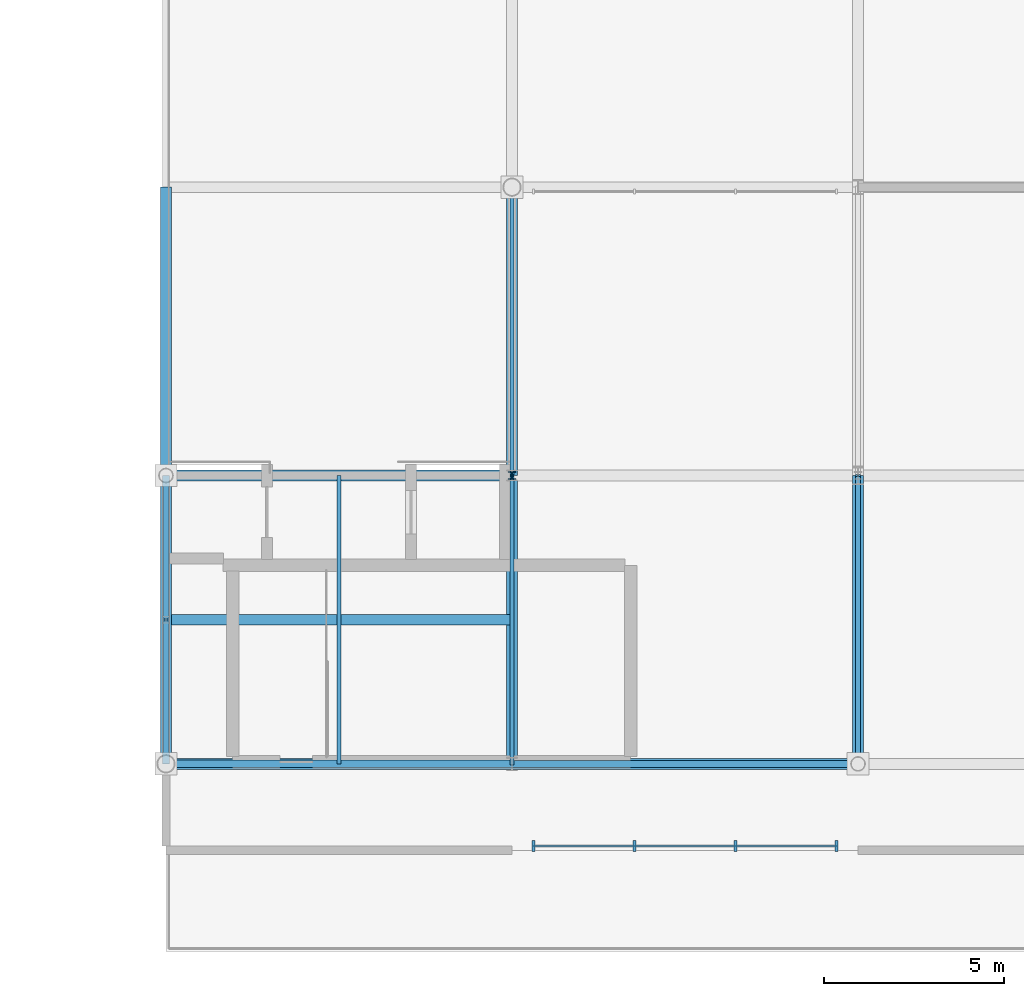
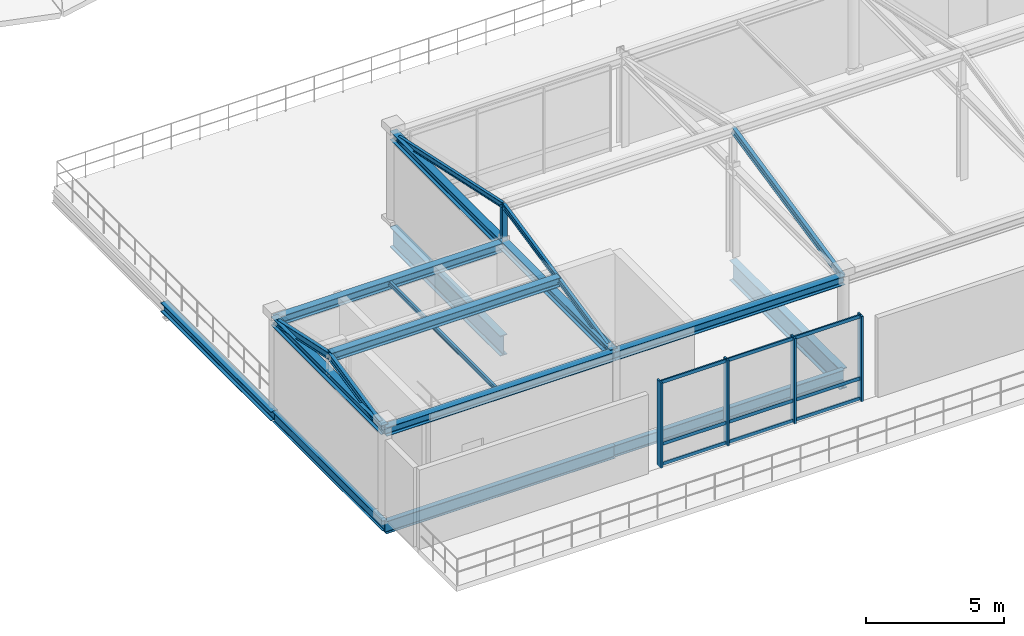
# One storey, part 4 of 26: 14 members, 12 beams, 1 element without a shape of its own.
"""IFC4 building model written with IfcOpenShell, lengths in metres."""

from ifc_helpers import new_model, si_unit, direction, frame, origin, origin_2d, place, context, subcontext, project, spatial, rectangle, i_section, extrude, material, material_profile, profile_set, type_object, element, aggregate, save


model = new_model("IFC4")

# Units and contexts
model_context = context("Model", 3, precision=1e-05, world=origin(), true_north=direction((0.0, 1.0)))
body_context = subcontext(model_context, "Body", "Model", "MODEL_VIEW")
ifc_project = project(units=[si_unit("LENGTHUNIT", "METRE"), si_unit("AREAUNIT", "SQUARE_METRE"), si_unit("VOLUMEUNIT", "CUBIC_METRE"), si_unit("PLANEANGLEUNIT", "RADIAN"), si_unit("MASSUNIT", "GRAM", prefix="KILO")], contexts=[model_context])

# Site, building, storey
site_placement = place(None, origin())
site = spatial("IfcSite", under=ifc_project, at=site_placement, CompositionType="ELEMENT")
building_placement = place(site_placement, origin())
building = spatial("IfcBuilding", under=site, at=building_placement, Name="Danafjord Basin Convention Centre", CompositionType="ELEMENT")
storey_placement = place(building_placement, frame((0.0, 0.0, 29.39990234375)))
storey = spatial("IfcBuildingStorey", under=building, at=storey_placement, Name="RF", CompositionType="ELEMENT", Elevation=29.39990234375)

# Beams
ifc_material_1 = material(Name="Steel S355", Category="steel")
ifc_material_profile_1 = material_profile(ifc_material_1, i_section(OverallWidth=0.300048828125, OverallDepth=0.389892578125, WebThickness=0.010986328125, FlangeThickness=0.01904296875, FilletRadius=0.027099609375, at=origin_2d()), Name="HEA 400")
ifc_profile_set_1 = profile_set([ifc_material_profile_1], Name="Steel S355")
beam_type_1 = type_object("IfcBeamType", Name="BEAM-BM-HEA400", PredefinedType="BEAM", material=ifc_profile_set_1)
beam_1_placement = place(storey_placement, frame((9.60009765625, 16.0, 3.800048828125), z_axis=(0.0, 1.0, 0.0), x_axis=(-1.0, 0.0, 0.0)))
element("IfcBeam", 1, at=beam_1_placement, inside=storey, type_object=beam_type_1, Name="Observatory transverse tie beam", PredefinedType="BEAM", context=body_context, shape_type="SweptSolid", body=[
    extrude(i_section(OverallWidth=0.300048828125, OverallDepth=0.389892578125, WebThickness=0.010986328125, FlangeThickness=0.01904296875, FilletRadius=0.027099609375, at=origin_2d()), origin(), (0.0, 0.0, 1.0), 8.0),
])
beam_2_placement = place(storey_placement, frame((19.199951171875, 16.0, 3.800048828125), z_axis=(0.0, 1.0, 0.0), x_axis=(-1.0, 0.0, 0.0)))
element("IfcBeam", 2, at=beam_2_placement, inside=storey, type_object=beam_type_1, Name="Observatory transverse tie beam", PredefinedType="BEAM", context=body_context, shape_type="SweptSolid", body=[
    extrude(i_section(OverallWidth=0.300048828125, OverallDepth=0.389892578125, WebThickness=0.010986328125, FlangeThickness=0.01904296875, FilletRadius=0.027099609375, at=origin_2d()), origin(), (0.0, 0.0, 1.0), 16.0),
])
for number, where, z_axis, x_axis, name in (
    (3, (9.60009765625, 16.0, 3.760009765625), (1.0, 0.0, 0.0), (0.0, 1.0, 0.0), "Observatory south eave girder"),
    (4, (9.60009765625, 24.0, 3.760009765625), (1.0, 0.0, 0.0), (0.0, 1.0, 0.0), "Observatory north eave girder"),
    (5, (9.60009765625, 20.0, 4.625), (1.0, 0.0, 0.0), (0.0, 1.0, 0.0), "Observatory ridge beam"),
):
    element("IfcBeam", number, at=place(storey_placement, frame(where, z_axis=z_axis, x_axis=x_axis)), inside=storey, type_object=beam_type_1, Name=name, PredefinedType="BEAM", context=body_context, shape_type="SweptSolid", body=[
        extrude(i_section(OverallWidth=0.300048828125, OverallDepth=0.389892578125, WebThickness=0.010986328125, FlangeThickness=0.01904296875, FilletRadius=0.027099609375, at=origin_2d()), origin(), (0.0, 0.0, 1.0), 9.599853515625),
    ])
beam_3_placement = place(storey_placement, frame((19.199951171875, 16.0, 3.760009765625), z_axis=(1.0, 0.0, 0.0), x_axis=(0.0, 1.0, 0.0)))
element("IfcBeam", 6, at=beam_3_placement, inside=storey, type_object=beam_type_1, Name="Observatory south eave girder", PredefinedType="BEAM", context=body_context, shape_type="SweptSolid", body=[
    extrude(i_section(OverallWidth=0.300048828125, OverallDepth=0.389892578125, WebThickness=0.010986328125, FlangeThickness=0.01904296875, FilletRadius=0.027099609375, at=origin_2d()), origin(), (0.0, 0.0, 1.0), 9.60009765625),
])
ifc_material_profile_2 = material_profile(ifc_material_1, i_section(OverallWidth=0.300048828125, OverallDepth=0.89990234375, WebThickness=0.0185546875, FlangeThickness=0.034912109375, FilletRadius=0.030029296875, at=origin_2d()), Name="HEB 900")
ifc_profile_set_2 = profile_set([ifc_material_profile_2], Name="Steel S355")
beam_type_2 = type_object("IfcBeamType", Name="BEAM-BM-HEB900", PredefinedType="BEAM", material=ifc_profile_set_2)
for number, where, z_axis, x_axis, name in (
    (7, (19.199951171875, 24.0, -0.68994140625), (0.0, 1.0, 0.0), (-1.0, 0.0, 0.0), "RF transverse girder BM-HEB900"),
    (8, (28.800048828125, 16.0, -0.679931640625), (0.0, 1.0, 0.0), (-1.0, 0.0, 0.0), "RF transverse girder BM-HEB900"),
):
    element("IfcBeam", number, at=place(storey_placement, frame(where, z_axis=z_axis, x_axis=x_axis)), inside=storey, type_object=beam_type_2, Name=name, PredefinedType="BEAM", context=body_context, shape_type="SweptSolid", body=[
        extrude(i_section(OverallWidth=0.300048828125, OverallDepth=0.89990234375, WebThickness=0.0185546875, FlangeThickness=0.034912109375, FilletRadius=0.030029296875, at=origin_2d()), origin(), (0.0, 0.0, 1.0), 8.0),
    ])
ifc_material_profile_3 = material_profile(ifc_material_1, i_section(OverallWidth=0.199951171875, OverallDepth=0.5, WebThickness=0.01025390625, FlangeThickness=0.01611328125, FilletRadius=0.02099609375, at=origin_2d()), Name="IPE 500")
ifc_profile_set_3 = profile_set([ifc_material_profile_3], Name="Steel S355")
beam_type_3 = type_object("IfcBeamType", Name="BEAM-BM-IPE500", PredefinedType="BEAM", material=ifc_profile_set_3)
beam_4_placement = place(storey_placement, frame((19.199951171875, 16.0, -0.47998046875), z_axis=(1.0, 0.0, 0.0), x_axis=(0.0, 1.0, 0.0)))
element("IfcBeam", 9, at=beam_4_placement, inside=storey, type_object=beam_type_3, Name="RF girder BM-IPE500", PredefinedType="BEAM", context=body_context, shape_type="SweptSolid", body=[
    extrude(i_section(OverallWidth=0.199951171875, OverallDepth=0.5, WebThickness=0.01025390625, FlangeThickness=0.01611328125, FilletRadius=0.02099609375, at=origin_2d()), origin(), (0.0, 0.0, 1.0), 9.60009765625),
])
ifc_material_profile_4 = material_profile(ifc_material_1, i_section(OverallWidth=0.2099609375, OverallDepth=0.550048828125, WebThickness=0.010986328125, FlangeThickness=0.01708984375, FilletRadius=0.02392578125, at=origin_2d()), Name="IPE 550")
ifc_profile_set_4 = profile_set([ifc_material_profile_4], Name="Steel S355")
beam_type_4 = type_object("IfcBeamType", Name="BEAM-BM-IPE550", PredefinedType="BEAM", material=ifc_profile_set_4)
beam_5_placement = place(storey_placement, frame((9.60009765625, 16.0, -0.5048828125), z_axis=(1.0, 0.0, 0.0), x_axis=(0.0, 1.0, 0.0)))
element("IfcBeam", 10, at=beam_5_placement, inside=storey, type_object=beam_type_4, Name="RF girder BM-IPE550", PredefinedType="BEAM", context=body_context, shape_type="SweptSolid", body=[
    extrude(i_section(OverallWidth=0.2099609375, OverallDepth=0.550048828125, WebThickness=0.010986328125, FlangeThickness=0.01708984375, FilletRadius=0.02392578125, at=origin_2d()), origin(), (0.0, 0.0, 1.0), 9.599853515625),
])
ifc_material_profile_5 = material_profile(ifc_material_1, i_section(OverallWidth=0.300048828125, OverallDepth=0.39990234375, WebThickness=0.013427734375, FlangeThickness=0.02392578125, FilletRadius=0.027099609375, at=origin_2d()), Name="HEB 400")
ifc_profile_set_5 = profile_set([ifc_material_profile_5], Name="Steel S355")
beam_type_5 = type_object("IfcBeamType", Name="BEAM-SP-HEB400", PredefinedType="SPANDREL", material=ifc_profile_set_5)
beam_6_placement = place(storey_placement, frame((9.60009765625, 24.0, -0.43994140625), z_axis=(0.0, 1.0, 0.0), x_axis=(-1.0, 0.0, 0.0)))
element("IfcBeam", 11, at=beam_6_placement, inside=storey, type_object=beam_type_5, Name="RF transverse girder SP-HEB400", PredefinedType="SPANDREL", context=body_context, shape_type="SweptSolid", body=[
    extrude(i_section(OverallWidth=0.300048828125, OverallDepth=0.39990234375, WebThickness=0.013427734375, FlangeThickness=0.02392578125, FilletRadius=0.027099609375, at=origin_2d()), origin(), (0.0, 0.0, 1.0), 8.0),
])
ifc_material_profile_6 = material_profile(ifc_material_1, i_section(OverallWidth=0.18994140625, OverallDepth=0.449951171875, WebThickness=0.009521484375, FlangeThickness=0.0146484375, FilletRadius=0.02099609375, at=origin_2d()), Name="IPE 450")
ifc_profile_set_6 = profile_set([ifc_material_profile_6], Name="Steel S355")
beam_type_6 = type_object("IfcBeamType", Name="BEAM-SP-IPE450", PredefinedType="SPANDREL", material=ifc_profile_set_6)
beam_7_placement = place(storey_placement, frame((9.60009765625, 16.0, -0.454833984375), z_axis=(0.0, 1.0, 0.0), x_axis=(-1.0, 0.0, 0.0)))
element("IfcBeam", 12, at=beam_7_placement, inside=storey, type_object=beam_type_6, Name="RF transverse girder SP-IPE450", PredefinedType="SPANDREL", context=body_context, shape_type="SweptSolid", body=[
    extrude(i_section(OverallWidth=0.18994140625, OverallDepth=0.449951171875, WebThickness=0.009521484375, FlangeThickness=0.0146484375, FilletRadius=0.02099609375, at=origin_2d()), origin(), (0.0, 0.0, 1.0), 8.0),
])

# Member
ifc_material_profile_7 = material_profile(ifc_material_1, i_section(OverallWidth=0.10009765625, OverallDepth=0.199951171875, WebThickness=0.005615234375, FlangeThickness=0.008544921875, FilletRadius=0.011962890625, at=origin_2d()), Name="IPE 200")
ifc_profile_set_7 = profile_set([ifc_material_profile_7], Name="Steel S355")
member_type_1 = type_object("IfcMemberType", Name="MEM-CL-IPE200", PredefinedType="COLLAR", material=ifc_profile_set_7)
member_1_placement = place(storey_placement, frame((14.39990234375, 16.0, 3.780029296875), z_axis=(0.0, 1.0, 0.0), x_axis=(-1.0, 0.0, 0.0)))
element("IfcMember", 13, at=member_1_placement, inside=storey, type_object=member_type_1, Name="Observatory roof collar tie", PredefinedType="COLLAR", context=body_context, shape_type="SweptSolid", body=[
    extrude(i_section(OverallWidth=0.10009765625, OverallDepth=0.199951171875, WebThickness=0.005615234375, FlangeThickness=0.008544921875, FilletRadius=0.011962890625, at=origin_2d()), origin(), (0.0, 0.0, 1.0), 8.0),
])

# Curtain wall, members
ifc_material_2 = material(Name="Anodised aluminium and triple glazing", Category="aluminium")
curtain_wall_type = type_object("IfcCurtainWallType", Name="CW-CW-TERR", PredefinedType="NOTDEFINED", material=ifc_material_2)
curtain_wall_placement = place(storey_placement, origin())
curtain_wall = element("IfcCurtainWall", 14, at=curtain_wall_placement, inside=storey, type_object=curtain_wall_type, Name="RF CW-TERR unitised curtain wall bay 109", PredefinedType="NOTDEFINED")
ifc_material_3 = material(Name="Anodised aluminium EN AW-6060", Category="aluminium")
ifc_material_profile_8 = material_profile(ifc_material_3, rectangle(XDim=0.080078125, YDim=0.300048828125, at=origin_2d()), Name="MULL 80x300")
ifc_profile_set_8 = profile_set([ifc_material_profile_8], Name="Anodised aluminium EN AW-6060")
member_type_2 = type_object("IfcMemberType", Name="MEM-ML-300", PredefinedType="MULLION", material=ifc_profile_set_8)
member_2_placement = place(storey_placement, frame((19.800048828125, 13.719970703125, -0.02490234375), z_axis=(0.0, 0.0, 1.0), x_axis=(1.0, 0.0, 0.0)))
member_2 = element("IfcMember", 15, at=member_2_placement, type_object=member_type_2, Name="CW-RF-109 mullion 1", PredefinedType="MULLION", context=body_context, shape_type="SweptSolid", body=[
    extrude(rectangle(XDim=0.080078125, YDim=0.300048828125, at=origin_2d()), origin(), (0.0, 0.0, 1.0), 3.784912109375),
])
member_3_placement = place(storey_placement, frame((22.60009765625, 13.719970703125, -0.02490234375), z_axis=(0.0, 0.0, 1.0), x_axis=(1.0, 0.0, 0.0)))
member_3 = element("IfcMember", 16, at=member_3_placement, type_object=member_type_2, Name="CW-RF-109 mullion 2", PredefinedType="MULLION", context=body_context, shape_type="SweptSolid", body=[
    extrude(rectangle(XDim=0.080078125, YDim=0.300048828125, at=origin_2d()), origin(), (0.0, 0.0, 1.0), 3.784912109375),
])
member_4_placement = place(storey_placement, frame((25.39990234375, 13.719970703125, -0.02490234375), z_axis=(0.0, 0.0, 1.0), x_axis=(1.0, 0.0, 0.0)))
member_4 = element("IfcMember", 17, at=member_4_placement, type_object=member_type_2, Name="CW-RF-109 mullion 3", PredefinedType="MULLION", context=body_context, shape_type="SweptSolid", body=[
    extrude(rectangle(XDim=0.080078125, YDim=0.300048828125, at=origin_2d()), origin(), (0.0, 0.0, 1.0), 3.784912109375),
])
member_5_placement = place(storey_placement, frame((28.199951171875, 13.719970703125, -0.02490234375), z_axis=(0.0, 0.0, 1.0), x_axis=(1.0, 0.0, 0.0)))
member_5 = element("IfcMember", 18, at=member_5_placement, type_object=member_type_2, Name="CW-RF-109 mullion 4", PredefinedType="MULLION", context=body_context, shape_type="SweptSolid", body=[
    extrude(rectangle(XDim=0.080078125, YDim=0.300048828125, at=origin_2d()), origin(), (0.0, 0.0, 1.0), 3.784912109375),
])

# Members
ifc_material_profile_9 = material_profile(ifc_material_1, i_section(OverallWidth=0.1201171875, OverallDepth=0.239990234375, WebThickness=0.006103515625, FlangeThickness=0.009765625, FilletRadius=0.014892578125, at=origin_2d()), Name="IPE 240")
ifc_profile_set_9 = profile_set([ifc_material_profile_9], Name="Steel S355")
member_type_3 = type_object("IfcMemberType", Name="MEM-RF-IPE240", PredefinedType="RAFTER", material=ifc_profile_set_9)
for number, where, z_axis, x_axis, name in (
    (19, (19.199951171875, 16.0, 3.780029296875), (0.0, 0.977413998917, 0.211333562693), (-1.0, 0.0, 0.0), "Observatory pitched roof rafter"),
    (20, (19.199951171875, 32.0, 3.780029296875), (0.0, -0.977413998917, 0.211333562693), (1.0, 0.0, 0.0), "Observatory pitched roof rafter"),
):
    element("IfcMember", number, at=place(storey_placement, frame(where, z_axis=z_axis, x_axis=x_axis)), inside=storey, type_object=member_type_3, Name=name, PredefinedType="RAFTER", context=body_context, shape_type="SweptSolid", body=[
        extrude(i_section(OverallWidth=0.1201171875, OverallDepth=0.239990234375, WebThickness=0.006103515625, FlangeThickness=0.009765625, FilletRadius=0.014892578125, at=origin_2d()), origin(), (0.0, 0.0, 1.0), 8.184814453125),
    ])
ifc_material_profile_10 = material_profile(ifc_material_1, i_section(OverallWidth=0.14990234375, OverallDepth=0.300048828125, WebThickness=0.007080078125, FlangeThickness=0.0107421875, FilletRadius=0.014892578125, at=origin_2d()), Name="IPE 300")
ifc_profile_set_10 = profile_set([ifc_material_profile_10], Name="Steel S355")
member_type_4 = type_object("IfcMemberType", Name="MEM-RF-IPE300", PredefinedType="RAFTER", material=ifc_profile_set_10)
for number, where, z_axis, x_axis, name in (
    (21, (9.60009765625, 16.0, 3.780029296875), (0.0, 0.977407837194, 0.211362058544), (-1.0, 0.0, 0.0), "Observatory pitched roof rafter"),
    (22, (9.60009765625, 24.0, 3.780029296875), (0.0, -0.977407837194, 0.211362058544), (1.0, 0.0, 0.0), "Observatory pitched roof rafter"),
):
    element("IfcMember", number, at=place(storey_placement, frame(where, z_axis=z_axis, x_axis=x_axis)), inside=storey, type_object=member_type_4, Name=name, PredefinedType="RAFTER", context=body_context, shape_type="SweptSolid", body=[
        extrude(i_section(OverallWidth=0.14990234375, OverallDepth=0.300048828125, WebThickness=0.007080078125, FlangeThickness=0.0107421875, FilletRadius=0.014892578125, at=origin_2d()), origin(), (0.0, 0.0, 1.0), 4.092529296875),
    ])
member_6_placement = place(storey_placement, frame((28.800048828125, 16.0, 3.780029296875), z_axis=(0.0, 0.977413998917, 0.211333562693), x_axis=(-1.0, 0.0, 0.0)))
element("IfcMember", 23, at=member_6_placement, inside=storey, type_object=member_type_4, Name="Observatory pitched roof rafter", PredefinedType="RAFTER", context=body_context, shape_type="SweptSolid", body=[
    extrude(i_section(OverallWidth=0.14990234375, OverallDepth=0.300048828125, WebThickness=0.007080078125, FlangeThickness=0.0107421875, FilletRadius=0.014892578125, at=origin_2d()), origin(), (0.0, 0.0, 1.0), 8.184814453125),
])
ifc_material_profile_11 = material_profile(ifc_material_1, i_section(OverallWidth=0.199951171875, OverallDepth=0.199951171875, WebThickness=0.009033203125, FlangeThickness=0.014892578125, FilletRadius=0.01806640625, at=origin_2d()), Name="HEB 200")
ifc_profile_set_11 = profile_set([ifc_material_profile_11], Name="Steel S355")
member_type_5 = type_object("IfcMemberType", Name="MEM-ST-HEB200", PredefinedType="STRUT", material=ifc_profile_set_11)
member_7_placement = place(storey_placement, frame((19.199951171875, 24.0, 3.800048828125), z_axis=(0.0, 0.0, 1.0), x_axis=(1.0, 0.0, 0.0)))
element("IfcMember", 24, at=member_7_placement, inside=storey, type_object=member_type_5, Name="Observatory ridge king-post", PredefinedType="STRUT", context=body_context, shape_type="SweptSolid", body=[
    extrude(i_section(OverallWidth=0.199951171875, OverallDepth=0.199951171875, WebThickness=0.009033203125, FlangeThickness=0.014892578125, FilletRadius=0.01806640625, at=origin_2d()), origin(), (0.0, 0.0, 1.0), 1.709716796875),
])

# Member
ifc_material_profile_12 = material_profile(ifc_material_3, rectangle(XDim=0.06005859375, YDim=0.14990234375, at=origin_2d()), Name="TRAN 60x150")
ifc_profile_set_12 = profile_set([ifc_material_profile_12], Name="Anodised aluminium EN AW-6060")
member_type_6 = type_object("IfcMemberType", Name="MEM-TR-150", PredefinedType="USERDEFINED", material=ifc_profile_set_12)
member_8_placement = place(storey_placement, frame((19.800048828125, 13.719970703125, 0.06005859375), z_axis=(1.0, 0.0, 0.0), x_axis=(0.0, 1.0, 0.0)))
member_8 = element("IfcMember", 25, at=member_8_placement, type_object=member_type_6, Name="CW-RF-109 transom 1", ObjectType="TRANSOM", PredefinedType="USERDEFINED", context=body_context, shape_type="SweptSolid", body=[
    extrude(rectangle(XDim=0.06005859375, YDim=0.14990234375, at=origin_2d()), origin(), (0.0, 0.0, 1.0), 8.39990234375),
])

member_9_placement = place(storey_placement, frame((19.800048828125, 13.719970703125, 0.9501953125), z_axis=(1.0, 0.0, 0.0), x_axis=(0.0, 1.0, 0.0)))
member_9 = element("IfcMember", 26, at=member_9_placement, type_object=member_type_6, Name="CW-RF-109 transom 2", ObjectType="TRANSOM", PredefinedType="USERDEFINED", context=body_context, shape_type="SweptSolid", body=[
    extrude(rectangle(XDim=0.06005859375, YDim=0.14990234375, at=origin_2d()), origin(), (0.0, 0.0, 1.0), 8.39990234375),
])

member_10_placement = place(storey_placement, frame((19.800048828125, 13.719970703125, 3.690185546875), z_axis=(1.0, 0.0, 0.0), x_axis=(0.0, 1.0, 0.0)))
member_10 = element("IfcMember", 27, at=member_10_placement, type_object=member_type_6, Name="CW-RF-109 transom 3", ObjectType="TRANSOM", PredefinedType="USERDEFINED", context=body_context, shape_type="SweptSolid", body=[
    extrude(rectangle(XDim=0.06005859375, YDim=0.14990234375, at=origin_2d()), origin(), (0.0, 0.0, 1.0), 8.39990234375),
])

aggregate(curtain_wall, [member_2, member_3, member_4, member_5, member_8, member_9, member_10])

save(model, "model.ifc")
